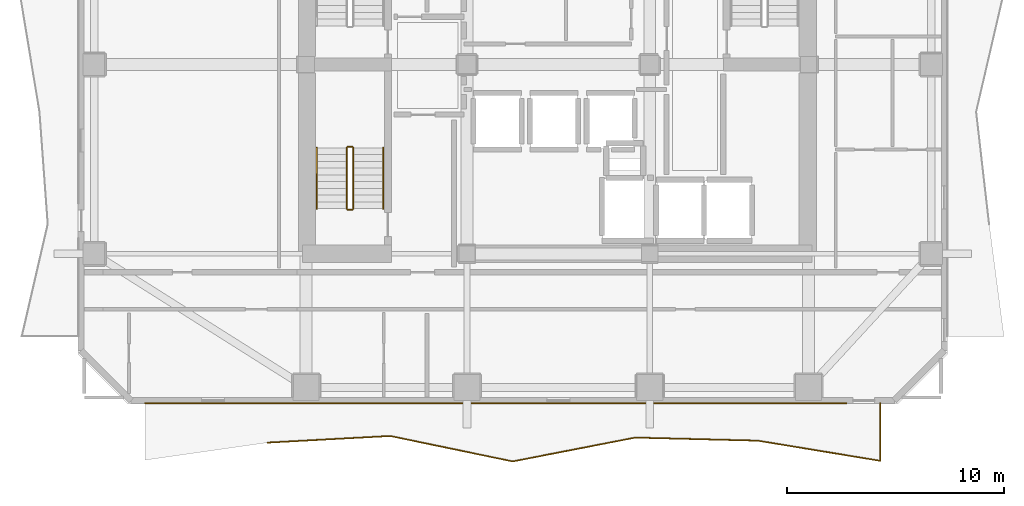
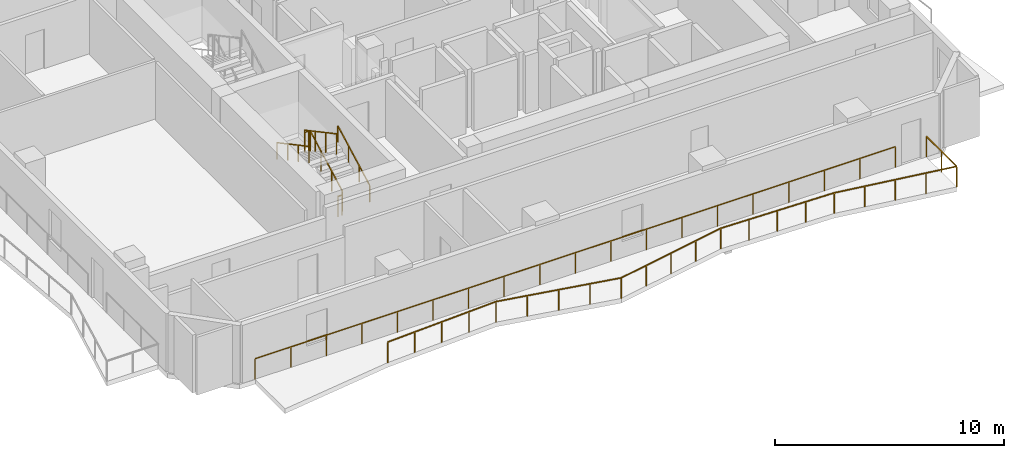
# One storey, part 7 of 10: 8 railings.
"""IFC4 building model written with IfcOpenShell, lengths in metres."""

from ifc_helpers import new_model, si_unit, direction, frame, origin, origin_2d, place, context, subcontext, project, spatial, rectangle, extrude, material, type_object, element, save


model = new_model("IFC4")

# Units and contexts
model_context = context("Model", 3, precision=1e-05, world=origin(), true_north=direction((0.0, 1.0)))
body_context = subcontext(model_context, "Body", "Model", "MODEL_VIEW")
ifc_project = project(units=[si_unit("LENGTHUNIT", "METRE"), si_unit("AREAUNIT", "SQUARE_METRE"), si_unit("VOLUMEUNIT", "CUBIC_METRE"), si_unit("PLANEANGLEUNIT", "RADIAN"), si_unit("MASSUNIT", "GRAM", prefix="KILO")], contexts=[model_context])

# Site, building, storey
site_placement = place(None, origin())
site = spatial("IfcSite", under=ifc_project, at=site_placement, CompositionType="ELEMENT")
building_placement = place(site_placement, origin())
building = spatial("IfcBuilding", under=site, at=building_placement, Name="Solanera Arch Residences", CompositionType="ELEMENT")
storey_placement = place(building_placement, frame((0.0, 0.0, 183.52001953125)))
storey = spatial("IfcBuildingStorey", under=building, at=storey_placement, Name="L53", CompositionType="ELEMENT", Elevation=183.52001953125)

# Railings
ifc_material_1 = material(Name="Steel S355 (ASTM A992 / A572 Grade 50)", Category="steel")
railing_type_1 = type_object("IfcRailingType", Name="Balustrade Railing BL-1100", PredefinedType="BALUSTRADE", material=ifc_material_1)
railing_1_placement = place(storey_placement, frame((11.633056640625, 13.31689453125, 0.0)))
element("IfcRailing", 1, at=railing_1_placement, inside=storey, type_object=railing_type_1, Name="L53 S Balcony Balustrade 1", PredefinedType="BALUSTRADE", context=body_context, shape_type="SweptSolid", body=[
    extrude(rectangle(XDim=0.048095703125, YDim=0.048095703125, at=origin_2d()), frame((0.0, 0.0, 1.09619140625), z_axis=(0.998545549002, 0.05391462296, 0.0), x_axis=(-0.05391462296, 0.998545549002, 0.0)), (0.0, 0.0, 1.0), 5.642333984375),
    extrude(rectangle(XDim=0.048095703125, YDim=0.048095703125, at=origin_2d()), frame((5.634033203125, 0.30419921875, 1.09619140625), z_axis=(0.979129854189, -0.203235648046, 0.0), x_axis=(0.203235648046, 0.979129854189, 0.0)), (0.0, 0.0, 1.0), 5.7529296875),
    extrude(rectangle(XDim=0.048095703125, YDim=0.048095703125, at=origin_2d()), frame((11.266845703125, -0.864990234375, 1.09619140625), z_axis=(0.981618710802, 0.190852578193, 0.0), x_axis=(-0.190852578193, 0.981618710802, 0.0)), (0.0, 0.0, 1.0), 5.738525390625),
    extrude(rectangle(XDim=0.048095703125, YDim=0.048095703125, at=origin_2d()), frame((16.89990234375, 0.230224609375, 1.09619140625), z_axis=(0.999686481838, -0.025038730619, 0.0), x_axis=(0.025038730619, 0.999686481838, 0.0)), (0.0, 0.0, 1.0), 5.6357421875),
    extrude(rectangle(XDim=0.048095703125, YDim=0.048095703125, at=origin_2d()), frame((22.533935546875, 0.089111328125, 1.09619140625), z_axis=(0.986728204259, -0.162380574332, 0.0), x_axis=(0.162380574332, 0.986728204259, 0.0)), (0.0, 0.0, 1.0), 5.708740234375),
    extrude(rectangle(XDim=0.048095703125, YDim=0.048095703125, at=origin_2d()), frame((28.1669921875, -0.837890625, 1.09619140625), z_axis=(0.0, 1.0, 0.0), x_axis=(-1.0, 0.0, 0.0)), (0.0, 0.0, 1.0), 2.64111328125),
    extrude(rectangle(XDim=0.0419921875, YDim=0.0419921875, at=origin_2d()), origin(), (0.0, 0.0, 1.0), 1.072021484375),
    extrude(rectangle(XDim=0.0419921875, YDim=0.0419921875, at=origin_2d()), frame((1.408447265625, 0.076171875, 0.0)), (0.0, 0.0, 1.0), 1.072021484375),
    extrude(rectangle(XDim=0.0419921875, YDim=0.0419921875, at=origin_2d()), frame((2.81689453125, 0.152099609375, 0.0)), (0.0, 0.0, 1.0), 1.072021484375),
    extrude(rectangle(XDim=0.0419921875, YDim=0.0419921875, at=origin_2d()), frame((4.2255859375, 0.22802734375, 0.0)), (0.0, 0.0, 1.0), 1.072021484375),
    extrude(rectangle(XDim=0.0419921875, YDim=0.0419921875, at=origin_2d()), frame((5.634033203125, 0.30419921875, 0.0)), (0.0, 0.0, 1.0), 1.072021484375),
    extrude(rectangle(XDim=0.0419921875, YDim=0.0419921875, at=origin_2d()), frame((7.042236328125, 0.011962890625, 0.0)), (0.0, 0.0, 1.0), 1.072021484375),
    extrude(rectangle(XDim=0.0419921875, YDim=0.0419921875, at=origin_2d()), frame((8.450439453125, -0.2802734375, 0.0)), (0.0, 0.0, 1.0), 1.072021484375),
    extrude(rectangle(XDim=0.0419921875, YDim=0.0419921875, at=origin_2d()), frame((9.858642578125, -0.57275390625, 0.0)), (0.0, 0.0, 1.0), 1.072021484375),
    extrude(rectangle(XDim=0.0419921875, YDim=0.0419921875, at=origin_2d()), frame((11.266845703125, -0.864990234375, 0.0)), (0.0, 0.0, 1.0), 1.072021484375),
    extrude(rectangle(XDim=0.0419921875, YDim=0.0419921875, at=origin_2d()), frame((12.675048828125, -0.59130859375, 0.0)), (0.0, 0.0, 1.0), 1.072021484375),
    extrude(rectangle(XDim=0.0419921875, YDim=0.0419921875, at=origin_2d()), frame((14.08349609375, -0.3173828125, 0.0)), (0.0, 0.0, 1.0), 1.072021484375),
    extrude(rectangle(XDim=0.0419921875, YDim=0.0419921875, at=origin_2d()), frame((15.49169921875, -0.04345703125, 0.0)), (0.0, 0.0, 1.0), 1.072021484375),
    extrude(rectangle(XDim=0.0419921875, YDim=0.0419921875, at=origin_2d()), frame((16.89990234375, 0.230224609375, 0.0)), (0.0, 0.0, 1.0), 1.072021484375),
    extrude(rectangle(XDim=0.0419921875, YDim=0.0419921875, at=origin_2d()), frame((18.308349609375, 0.19482421875, 0.0)), (0.0, 0.0, 1.0), 1.072021484375),
    extrude(rectangle(XDim=0.0419921875, YDim=0.0419921875, at=origin_2d()), frame((19.716796875, 0.15966796875, 0.0)), (0.0, 0.0, 1.0), 1.072021484375),
    extrude(rectangle(XDim=0.0419921875, YDim=0.0419921875, at=origin_2d()), frame((21.12548828125, 0.12451171875, 0.0)), (0.0, 0.0, 1.0), 1.072021484375),
    extrude(rectangle(XDim=0.0419921875, YDim=0.0419921875, at=origin_2d()), frame((22.533935546875, 0.089111328125, 0.0)), (0.0, 0.0, 1.0), 1.072021484375),
    extrude(rectangle(XDim=0.0419921875, YDim=0.0419921875, at=origin_2d()), frame((23.942138671875, -0.142578125, 0.0)), (0.0, 0.0, 1.0), 1.072021484375),
    extrude(rectangle(XDim=0.0419921875, YDim=0.0419921875, at=origin_2d()), frame((25.3505859375, -0.37451171875, 0.0)), (0.0, 0.0, 1.0), 1.072021484375),
    extrude(rectangle(XDim=0.0419921875, YDim=0.0419921875, at=origin_2d()), frame((26.7587890625, -0.606201171875, 0.0)), (0.0, 0.0, 1.0), 1.072021484375),
    extrude(rectangle(XDim=0.0419921875, YDim=0.0419921875, at=origin_2d()), frame((28.1669921875, -0.837890625, 0.0)), (0.0, 0.0, 1.0), 1.072021484375),
    extrude(rectangle(XDim=0.0419921875, YDim=0.0419921875, at=origin_2d()), frame((28.1669921875, 0.482666015625, 0.0)), (0.0, 0.0, 1.0), 1.072021484375),
    extrude(rectangle(XDim=0.0419921875, YDim=0.0419921875, at=origin_2d()), frame((28.1669921875, 1.80322265625, 0.0)), (0.0, 0.0, 1.0), 1.072021484375),
])
railing_2_placement = place(storey_placement, frame((38.240966796875, 15.1201171875, 0.0)))
element("IfcRailing", 2, at=railing_2_placement, inside=storey, type_object=railing_type_1, Name="L53 S Balcony Balustrade 2", PredefinedType="BALUSTRADE", context=body_context, shape_type="SweptSolid", body=[
    extrude(rectangle(XDim=0.048095703125, YDim=0.048095703125, at=origin_2d()), frame((0.0, 0.0, 1.09619140625), z_axis=(-1.0, 0.0, 0.0), x_axis=(0.0, -1.0, 0.0)), (0.0, 0.0, 1.0), 32.240966796875),
    extrude(rectangle(XDim=0.0419921875, YDim=0.0419921875, at=origin_2d()), origin(), (0.0, 0.0, 1.0), 1.072021484375),
    extrude(rectangle(XDim=0.0419921875, YDim=0.0419921875, at=origin_2d()), frame((-1.791259765625, 0.0, 0.0)), (0.0, 0.0, 1.0), 1.072021484375),
    extrude(rectangle(XDim=0.0419921875, YDim=0.0419921875, at=origin_2d()), frame((-3.582275390625, 0.0, 0.0)), (0.0, 0.0, 1.0), 1.072021484375),
    extrude(rectangle(XDim=0.0419921875, YDim=0.0419921875, at=origin_2d()), frame((-5.37353515625, 0.0, 0.0)), (0.0, 0.0, 1.0), 1.072021484375),
    extrude(rectangle(XDim=0.0419921875, YDim=0.0419921875, at=origin_2d()), frame((-7.16455078125, 0.0, 0.0)), (0.0, 0.0, 1.0), 1.072021484375),
    extrude(rectangle(XDim=0.0419921875, YDim=0.0419921875, at=origin_2d()), frame((-8.955810546875, 0.0, 0.0)), (0.0, 0.0, 1.0), 1.072021484375),
    extrude(rectangle(XDim=0.0419921875, YDim=0.0419921875, at=origin_2d()), frame((-10.7470703125, 0.0, 0.0)), (0.0, 0.0, 1.0), 1.072021484375),
    extrude(rectangle(XDim=0.0419921875, YDim=0.0419921875, at=origin_2d()), frame((-12.5380859375, 0.0, 0.0)), (0.0, 0.0, 1.0), 1.072021484375),
    extrude(rectangle(XDim=0.0419921875, YDim=0.0419921875, at=origin_2d()), frame((-14.329345703125, 0.0, 0.0)), (0.0, 0.0, 1.0), 1.072021484375),
    extrude(rectangle(XDim=0.0419921875, YDim=0.0419921875, at=origin_2d()), frame((-16.12060546875, 0.0, 0.0)), (0.0, 0.0, 1.0), 1.072021484375),
    extrude(rectangle(XDim=0.0419921875, YDim=0.0419921875, at=origin_2d()), frame((-17.91162109375, 0.0, 0.0)), (0.0, 0.0, 1.0), 1.072021484375),
    extrude(rectangle(XDim=0.0419921875, YDim=0.0419921875, at=origin_2d()), frame((-19.702880859375, 0.0, 0.0)), (0.0, 0.0, 1.0), 1.072021484375),
    extrude(rectangle(XDim=0.0419921875, YDim=0.0419921875, at=origin_2d()), frame((-21.493896484375, 0.0, 0.0)), (0.0, 0.0, 1.0), 1.072021484375),
    extrude(rectangle(XDim=0.0419921875, YDim=0.0419921875, at=origin_2d()), frame((-23.28515625, 0.0, 0.0)), (0.0, 0.0, 1.0), 1.072021484375),
    extrude(rectangle(XDim=0.0419921875, YDim=0.0419921875, at=origin_2d()), frame((-25.076416015625, 0.0, 0.0)), (0.0, 0.0, 1.0), 1.072021484375),
    extrude(rectangle(XDim=0.0419921875, YDim=0.0419921875, at=origin_2d()), frame((-26.867431640625, 0.0, 0.0)), (0.0, 0.0, 1.0), 1.072021484375),
    extrude(rectangle(XDim=0.0419921875, YDim=0.0419921875, at=origin_2d()), frame((-28.65869140625, 0.0, 0.0)), (0.0, 0.0, 1.0), 1.072021484375),
    extrude(rectangle(XDim=0.0419921875, YDim=0.0419921875, at=origin_2d()), frame((-30.44970703125, 0.0, 0.0)), (0.0, 0.0, 1.0), 1.072021484375),
    extrude(rectangle(XDim=0.0419921875, YDim=0.0419921875, at=origin_2d()), frame((-32.240966796875, 0.0, 0.0)), (0.0, 0.0, 1.0), 1.072021484375),
])
ifc_material_2 = material(Name="Steel S355 (ASTM A992 / A572 Grade 50)", Category="steel")
railing_type_2 = type_object("IfcRailingType", Name="Stair Guardrail GR-1100", PredefinedType="GUARDRAIL", material=ifc_material_2)
railing_3_placement = place(storey_placement, frame((15.570068359375, 24.080078125, 0.15087890625)))
element("IfcRailing", 3, at=railing_3_placement, inside=storey, type_object=railing_type_2, Name="L53 ST-T3 stair guard 1", PredefinedType="GUARDRAIL", context=body_context, shape_type="SweptSolid", body=[
    extrude(rectangle(XDim=0.048095703125, YDim=0.048095703125, at=origin_2d()), frame((0.0, 0.0, 1.076171875), z_axis=(0.0, 0.881548766853, 0.472092969298), x_axis=(-1.0, 0.0, 0.0)), (0.0, 0.0, 1.0), 3.1650390625),
    extrude(rectangle(XDim=0.0419921875, YDim=0.0419921875, at=origin_2d()), origin(), (0.0, 0.0, 1.0), 1.052001953125),
    extrude(rectangle(XDim=0.0419921875, YDim=0.0419921875, at=origin_2d()), frame((0.0, 0.929931640625, 0.498046875)), (0.0, 0.0, 1.0), 1.052001953125),
    extrude(rectangle(XDim=0.0419921875, YDim=0.0419921875, at=origin_2d()), frame((0.0, 1.860107421875, 0.99609375)), (0.0, 0.0, 1.0), 1.052001953125),
    extrude(rectangle(XDim=0.0419921875, YDim=0.0419921875, at=origin_2d()), frame((0.0, 2.7900390625, 1.494140625)), (0.0, 0.0, 1.0), 1.052001953125),
])
railing_4_placement = place(storey_placement, frame((15.52001953125, 26.919921875, 1.64501953125)))
element("IfcRailing", 4, at=railing_4_placement, inside=storey, type_object=railing_type_2, Name="L53 ST-T3 stair guard 2", PredefinedType="GUARDRAIL", context=body_context, shape_type="SweptSolid", body=[
    extrude(rectangle(XDim=0.048095703125, YDim=0.048095703125, at=origin_2d()), frame((0.0, 0.0, 1.076171875), z_axis=(-1.0, 0.0, 0.0), x_axis=(0.0, -1.0, 0.0)), (0.0, 0.0, 1.0), 0.199951171875),
    extrude(rectangle(XDim=0.0419921875, YDim=0.0419921875, at=origin_2d()), origin(), (0.0, 0.0, 1.0), 1.052001953125),
    extrude(rectangle(XDim=0.0419921875, YDim=0.0419921875, at=origin_2d()), frame((-0.199951171875, 0.0, 0.0)), (0.0, 0.0, 1.0), 1.052001953125),
])
railing_5_placement = place(storey_placement, frame((15.27001953125, 26.8701171875, 1.81103515625)))
element("IfcRailing", 5, at=railing_5_placement, inside=storey, type_object=railing_type_2, Name="L53 ST-T3 stair guard 3", PredefinedType="GUARDRAIL", context=body_context, shape_type="SweptSolid", body=[
    extrude(rectangle(XDim=0.048095703125, YDim=0.048095703125, at=origin_2d()), frame((0.0, 0.0, 1.076171875), z_axis=(0.0, -0.881580869306, 0.472033018838), x_axis=(1.0, 0.0, 0.0)), (0.0, 0.0, 1.0), 3.164794921875),
    extrude(rectangle(XDim=0.0419921875, YDim=0.0419921875, at=origin_2d()), origin(), (0.0, 0.0, 1.0), 1.052001953125),
    extrude(rectangle(XDim=0.0419921875, YDim=0.0419921875, at=origin_2d()), frame((0.0, -0.929931640625, 0.498046875)), (0.0, 0.0, 1.0), 1.052001953125),
    extrude(rectangle(XDim=0.0419921875, YDim=0.0419921875, at=origin_2d()), frame((0.0, -1.860107421875, 0.995849609375)), (0.0, 0.0, 1.0), 1.052001953125),
    extrude(rectangle(XDim=0.0419921875, YDim=0.0419921875, at=origin_2d()), frame((0.0, -2.7900390625, 1.493896484375)), (0.0, 0.0, 1.0), 1.052001953125),
])
railing_6_placement = place(storey_placement, frame((15.52001953125, 24.030029296875, -0.01513671875)))
element("IfcRailing", 6, at=railing_6_placement, inside=storey, type_object=railing_type_2, Name="L53 ST-T3 stair guard 4", PredefinedType="GUARDRAIL", context=body_context, shape_type="SweptSolid", body=[
    extrude(rectangle(XDim=0.048095703125, YDim=0.048095703125, at=origin_2d()), frame((0.0, 0.0, 1.076171875), z_axis=(-1.0, 0.0, 0.0), x_axis=(0.0, -1.0, 0.0)), (0.0, 0.0, 1.0), 0.199951171875),
    extrude(rectangle(XDim=0.0419921875, YDim=0.0419921875, at=origin_2d()), origin(), (0.0, 0.0, 1.0), 1.052001953125),
    extrude(rectangle(XDim=0.0419921875, YDim=0.0419921875, at=origin_2d()), frame((-0.199951171875, 0.0, 0.0)), (0.0, 0.0, 1.0), 1.052001953125),
])
ifc_material_3 = material(Name="Steel S355 (ASTM A992 / A572 Grade 50)", Category="steel")
railing_type_3 = type_object("IfcRailingType", Name="Stair Wall Handrail HR-920", PredefinedType="HANDRAIL", material=ifc_material_3)
railing_7_placement = place(storey_placement, frame((16.949951171875, 24.080078125, 0.166015625)))
element("IfcRailing", 7, at=railing_7_placement, inside=storey, type_object=railing_type_3, Name="L53 ST-T3 stair handrail 1", PredefinedType="HANDRAIL", context=body_context, shape_type="SweptSolid", body=[
    extrude(rectangle(XDim=0.048095703125, YDim=0.048095703125, at=origin_2d()), frame((0.0, 0.0, 0.8759765625), z_axis=(0.0, 0.881580869306, 0.472033018838), x_axis=(-1.0, 0.0, 0.0)), (0.0, 0.0, 1.0), 3.164794921875),
    extrude(rectangle(XDim=0.0419921875, YDim=0.0419921875, at=origin_2d()), origin(), (0.0, 0.0, 1.0), 0.851806640625),
    extrude(rectangle(XDim=0.0419921875, YDim=0.0419921875, at=origin_2d()), frame((0.0, 0.929931640625, 0.498046875)), (0.0, 0.0, 1.0), 0.851806640625),
    extrude(rectangle(XDim=0.0419921875, YDim=0.0419921875, at=origin_2d()), frame((0.0, 1.860107421875, 0.995849609375)), (0.0, 0.0, 1.0), 0.851806640625),
    extrude(rectangle(XDim=0.0419921875, YDim=0.0419921875, at=origin_2d()), frame((0.0, 2.7900390625, 1.493896484375)), (0.0, 0.0, 1.0), 0.851806640625),
])
railing_8_placement = place(storey_placement, frame((13.889892578125, 26.8701171875, 1.825927734375)))
element("IfcRailing", 8, at=railing_8_placement, inside=storey, type_object=railing_type_3, Name="L53 ST-T3 stair handrail 2", PredefinedType="HANDRAIL", context=body_context, shape_type="SweptSolid", body=[
    extrude(rectangle(XDim=0.048095703125, YDim=0.048095703125, at=origin_2d()), frame((0.0, 0.0, 0.8759765625), z_axis=(0.0, -0.881548766853, 0.472092969298), x_axis=(1.0, 0.0, 0.0)), (0.0, 0.0, 1.0), 3.1650390625),
    extrude(rectangle(XDim=0.0419921875, YDim=0.0419921875, at=origin_2d()), origin(), (0.0, 0.0, 1.0), 0.851806640625),
    extrude(rectangle(XDim=0.0419921875, YDim=0.0419921875, at=origin_2d()), frame((0.0, -0.929931640625, 0.498046875)), (0.0, 0.0, 1.0), 0.851806640625),
    extrude(rectangle(XDim=0.0419921875, YDim=0.0419921875, at=origin_2d()), frame((0.0, -1.860107421875, 0.99609375)), (0.0, 0.0, 1.0), 0.851806640625),
    extrude(rectangle(XDim=0.0419921875, YDim=0.0419921875, at=origin_2d()), frame((0.0, -2.7900390625, 1.494140625)), (0.0, 0.0, 1.0), 0.851806640625),
])

save(model, "model.ifc")
